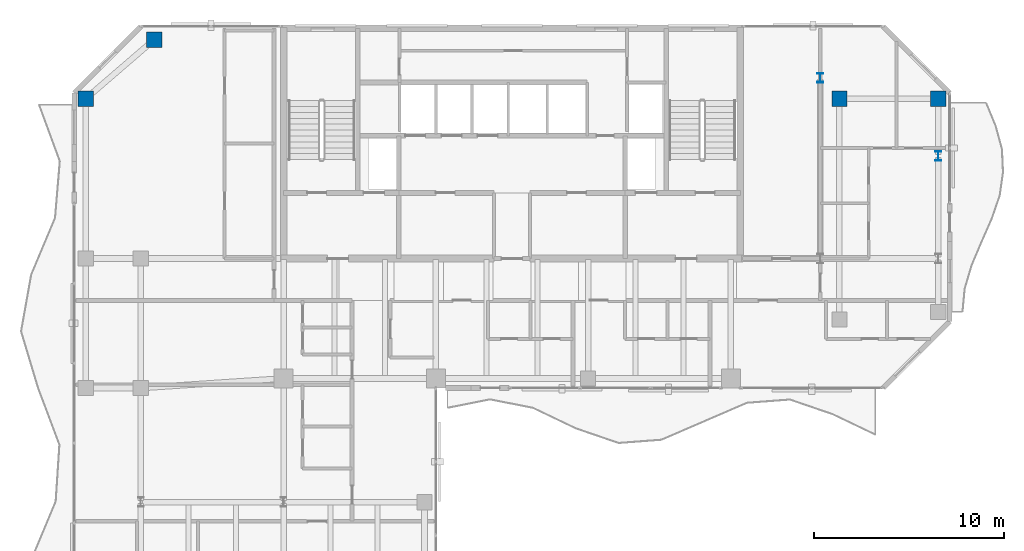
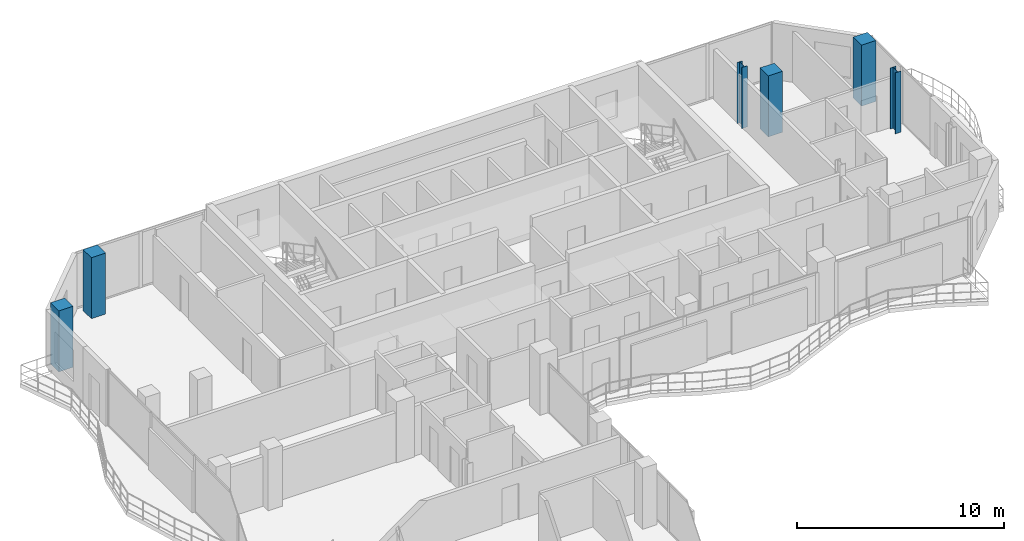
# One storey, part 2 of 23: 6 columns.
"""IFC4 building model written with IfcOpenShell, lengths in metres."""

from ifc_helpers import new_model, si_unit, direction, frame, origin, origin_2d, place, context, subcontext, project, spatial, rectangle, i_section, extrude, material, material_profile, profile_set, type_object, element, save


model = new_model("IFC4")

# Units and contexts
model_context = context("Model", 3, precision=1e-05, world=origin(), true_north=direction((0.0, 1.0)))
body_context = subcontext(model_context, "Body", "Model", "MODEL_VIEW")
ifc_project = project(units=[si_unit("LENGTHUNIT", "METRE"), si_unit("AREAUNIT", "SQUARE_METRE"), si_unit("VOLUMEUNIT", "CUBIC_METRE"), si_unit("PLANEANGLEUNIT", "RADIAN"), si_unit("MASSUNIT", "GRAM", prefix="KILO")], contexts=[model_context])

# Site, building, storey
site_placement = place(None, origin())
site = spatial("IfcSite", under=ifc_project, at=site_placement, CompositionType="ELEMENT")
building_placement = place(site_placement, origin())
building = spatial("IfcBuilding", under=site, at=building_placement, Name="Catumbela Crestline Tower", CompositionType="ELEMENT")
storey_placement = place(building_placement, frame((0.0, 0.0, 175.8)))
storey = spatial("IfcBuildingStorey", under=building, at=storey_placement, Name="L45", CompositionType="ELEMENT", Elevation=175.8)

# Columns
ifc_material_1 = material(Name="Concrete C50/60", Category="concrete")
ifc_material_profile_1 = material_profile(ifc_material_1, rectangle(XDim=0.8, YDim=0.8, at=origin_2d()), Name="RC 800x800")
ifc_profile_set_1 = profile_set([ifc_material_profile_1], Name="Concrete C50/60")
column_type_1 = type_object("IfcColumnType", Name="C-RC800-C50", PredefinedType="COLUMN", material=ifc_profile_set_1)
for number, where, z_axis, x_axis, name in (
    (1, (5.6, 39.2, 0.0), (0.0, 0.0, 1.0), (1.0, 0.0, 0.0), "L45 Column C-05-43 (RC 800x800)"),
    (2, (9.2, 42.3, 0.0), (0.0, 0.0, 1.0), (1.0, 0.0, 0.0), "L45 Column C-08-43 (RC 800x800)"),
    (3, (45.2, 39.2, 0.0), (0.0, 0.0, 1.0), (1.0, 0.0, 0.0), "L45 Column C-46-43 (RC 800x800)"),
    (4, (50.4, 39.2, 0.0), (0.0, 0.0, 1.0), (1.0, 0.0, 0.0), "L45 Column C-51-43 (RC 800x800)"),
):
    element("IfcColumn", number, at=place(storey_placement, frame(where, z_axis=z_axis, x_axis=x_axis)), inside=storey, type_object=column_type_1, Name=name, PredefinedType="COLUMN", context=body_context, shape_type="SweptSolid", body=[
        extrude(rectangle(XDim=0.8, YDim=0.8, at=origin_2d()), origin(), (0.0, 0.0, 1.0), 3.6),
    ])
ifc_material_2 = material(Name="Structural steel S355J2", Category="steel")
ifc_material_profile_2 = material_profile(ifc_material_2, i_section(OverallWidth=0.3, OverallDepth=0.5, WebThickness=0.0145, FlangeThickness=0.028, FilletRadius=0.027, at=origin_2d()), Name="HEB 500")
ifc_profile_set_2 = profile_set([ifc_material_profile_2], Name="Structural steel S355J2")
column_type_2 = type_object("IfcColumnType", Name="C-ST-HEB500", PredefinedType="COLUMN", material=ifc_profile_set_2)
for number, where, z_axis, x_axis, name in (
    (5, (44.2, 40.3, 0.0), (0.0, 0.0, 1.0), (1.0, 0.0, 0.0), "L45 Column CT-46-37 (HEB 500)"),
    (6, (50.4, 36.2, 0.0), (0.0, 0.0, 1.0), (1.0, 0.0, 0.0), "L45 Column CT-51-37 (HEB 500)"),
):
    element("IfcColumn", number, at=place(storey_placement, frame(where, z_axis=z_axis, x_axis=x_axis)), inside=storey, type_object=column_type_2, Name=name, PredefinedType="COLUMN", context=body_context, shape_type="SweptSolid", body=[
        extrude(i_section(OverallWidth=0.3, OverallDepth=0.5, WebThickness=0.0145, FlangeThickness=0.028, FilletRadius=0.027, at=origin_2d()), origin(), (0.0, 0.0, 1.0), 3.6),
    ])

save(model, "model.ifc")
